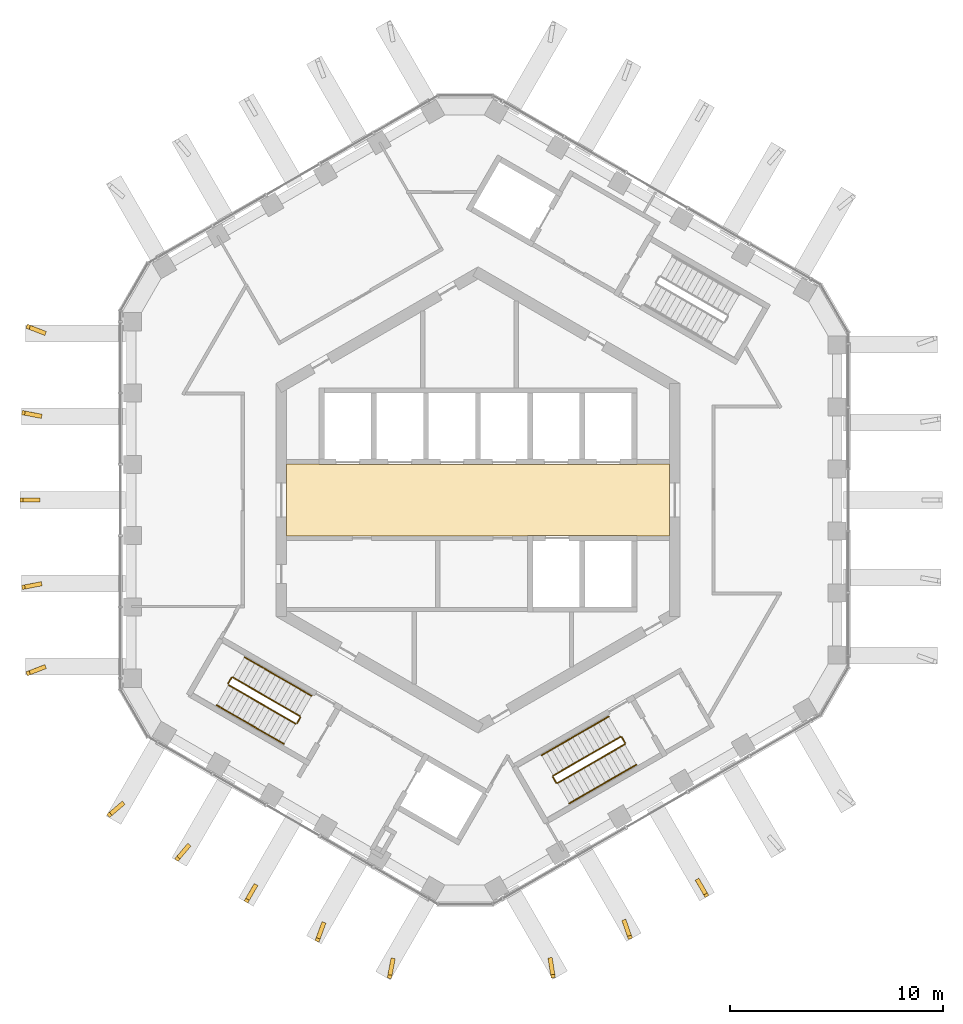
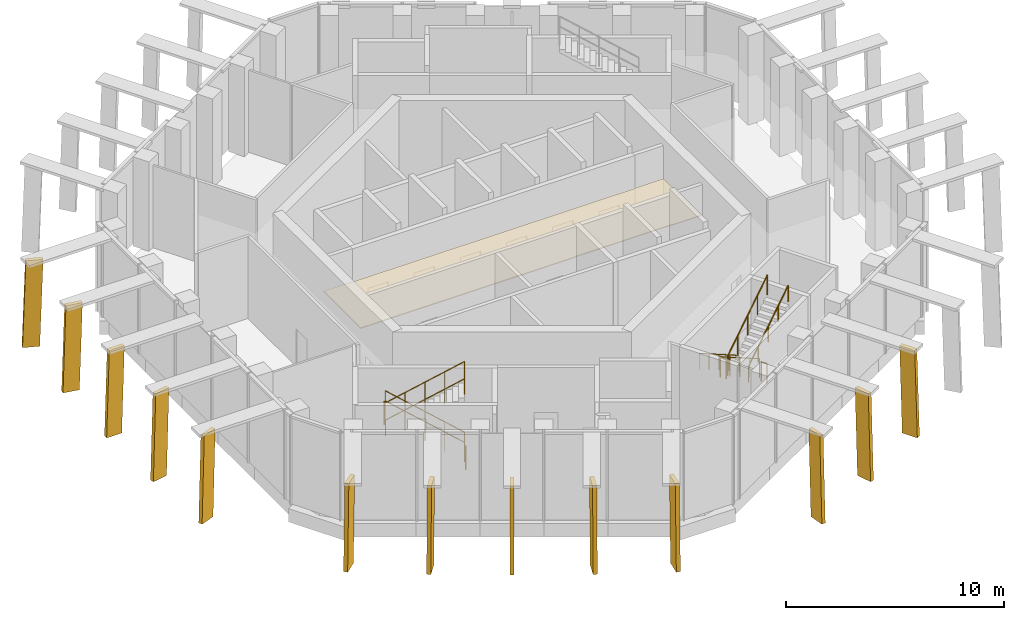
# One storey, part 15 of 17: 16 railings, 13 shading devices, 1 covering.
"""IFC4 building model written with IfcOpenShell, lengths in metres."""

import ifcopenshell
import ifcopenshell.guid

model = None  # the IFC model being written
_history = None  # IfcOwnerHistory: only IFC2X3 demands one
_inside = {}  # id of a spatial element -> (the spatial element, [elements in it])
_under = {}  # id of a project, library or spatial element -> (it, [spatial elements below it])
_declared = {}  # id of a project -> (the project, [libraries it declares])
_typed = {}  # id of a type object -> (the type object, [elements of that type])
_made_of = {}  # id of a material, layer set ... -> (it, [elements and type objects made of it])


def new_model(schema):
    """Start an empty IFC model of exactly this schema.

    Asked for "IFC4X3", IfcOpenShell would pick the latest addendum, in which some entities
    have other attributes; the version numbers below select the first issue.
    IFC2X3 requires an IfcOwnerHistory on every rooted entity: one is made here for all.
    """
    global model, _history
    if schema == "IFC4X3":
        model = ifcopenshell.file(schema_version=(4, 3, 0, 0))
    else:
        model = ifcopenshell.file(schema=schema)
    _inside.clear()
    _under.clear()
    _declared.clear()
    _typed.clear()
    _made_of.clear()
    _history = None
    if model.schema == "IFC2X3":
        org = make("IfcOrganization", Name="unknown")
        user = make(
            "IfcPersonAndOrganization",
            ThePerson=make("IfcPerson", FamilyName="unknown"),
            TheOrganization=org,
        )
        app = make(
            "IfcApplication",
            ApplicationDeveloper=org,
            Version="unknown",
            ApplicationFullName="unknown",
            ApplicationIdentifier="unknown",
        )
        _history = make(
            "IfcOwnerHistory",
            OwningUser=user,
            OwningApplication=app,
            ChangeAction="ADDED",
            CreationDate=0,
        )
    return model


def make(cls, **values):
    """One entity of the class cls with the attributes given. An attribute that is None is left unset."""
    return model.create_entity(
        cls, **{name: value for name, value in values.items() if value is not None}
    )


def rooted(cls, **values):
    """An entity with a GlobalId (a new one), such as an element, a storey or a relation."""
    return make(cls, GlobalId=ifcopenshell.guid.new(), OwnerHistory=_history, **values)


def si_unit(unit_type, name, prefix=None):
    """IfcSIUnit, for example si_unit("LENGTHUNIT", "METRE", prefix="MILLI")."""
    return make("IfcSIUnit", UnitType=unit_type, Prefix=prefix, Name=name)


def assignment(units):
    """IfcUnitAssignment: the units of a project."""
    return None if units is None else make("IfcUnitAssignment", Units=units)


def point(xyz):
    """IfcCartesianPoint."""
    return None if xyz is None else make("IfcCartesianPoint", Coordinates=xyz)


def direction(xyz):
    """IfcDirection."""
    return None if xyz is None else make("IfcDirection", DirectionRatios=xyz)


def frame(location, z_axis=None, x_axis=None):
    """IfcAxis2Placement3D, a coordinate frame: its origin and axes. An axis left out is left unset."""
    return make(
        "IfcAxis2Placement3D",
        Location=point(location),
        Axis=direction(z_axis),
        RefDirection=direction(x_axis),
    )


def frame_2d(location, x_axis=None):
    """IfcAxis2Placement2D, a coordinate frame in the plane: its origin and x axis."""
    return make(
        "IfcAxis2Placement2D", Location=point(location), RefDirection=direction(x_axis)
    )


def origin():
    """The frame at (0, 0, 0) with its axes left unset."""
    return frame((0.0, 0.0, 0.0))


def origin_2d():
    """The frame at (0, 0) in the plane with its x axis left unset."""
    return frame_2d((0.0, 0.0))


def place(relative_to, where):
    """IfcLocalPlacement: puts the frame where relative to a parent placement (None: the world)."""
    return make(
        "IfcLocalPlacement", PlacementRelTo=relative_to, RelativePlacement=where
    )


def context(
    kind, dimensions, precision=None, world=None, true_north=None, identifier=None
):
    """IfcGeometricRepresentationContext, for example the 3D "Model" context."""
    return make(
        "IfcGeometricRepresentationContext",
        ContextIdentifier=identifier,
        ContextType=kind,
        CoordinateSpaceDimension=dimensions,
        Precision=precision,
        WorldCoordinateSystem=world,
        TrueNorth=true_north,
    )


def subcontext(parent, identifier, kind, view, scale=None):
    """IfcGeometricRepresentationSubContext, for example "Body" below "Model"."""
    return make(
        "IfcGeometricRepresentationSubContext",
        ContextIdentifier=identifier,
        ContextType=kind,
        ParentContext=parent,
        TargetScale=scale,
        TargetView=view,
    )


def project(units=None, contexts=None):
    """IfcProject with its units and contexts."""
    return rooted(
        "IfcProject",
        Name="project",
        RepresentationContexts=contexts,
        UnitsInContext=assignment(units),
    )


def spatial(cls, under=None, at=None, **own):
    """A site, building, storey or space (cls), placed at a placement, below another one or the project."""
    s = rooted(cls, ObjectPlacement=at, **own)
    if under is not None:
        _under.setdefault(under.id(), (under, []))[1].append(s)
    return s


def polyline(points):
    """IfcPolyline through the points."""
    return make("IfcPolyline", Points=[point(p) for p in points])


def profile(cls, at=None, kind="AREA", **sizes):
    """A parametric profile (cls). Its sizes go by their IFC names, for example OverallWidth=200.0."""
    return make(cls, ProfileType=kind, Position=at, **sizes)


def circle(**sizes):
    """IfcCircleProfileDef."""
    return profile("IfcCircleProfileDef", **sizes)


def outline(outer, holes=None, kind="AREA"):
    """IfcArbitraryClosedProfileDef: a profile drawn as a closed curve; with holes, ...WithVoids."""
    if holes is None:
        return make("IfcArbitraryClosedProfileDef", ProfileType=kind, OuterCurve=outer)
    return make(
        "IfcArbitraryProfileDefWithVoids",
        ProfileType=kind,
        OuterCurve=outer,
        InnerCurves=holes,
    )


def extrude(swept, where, along, depth):
    """IfcExtrudedAreaSolid: the profile swept, set in the frame where, extruded along a direction by depth."""
    return make(
        "IfcExtrudedAreaSolid",
        SweptArea=swept,
        Position=where,
        ExtrudedDirection=direction(along),
        Depth=depth,
    )


def shape(context_of_items, identifier, shape_type, items):
    """IfcShapeRepresentation: the items that make up one representation, for example the "Body"."""
    return make(
        "IfcShapeRepresentation",
        ContextOfItems=context_of_items,
        RepresentationIdentifier=identifier,
        RepresentationType=shape_type,
        Items=items,
    )


def material(Name=None, Category=None):
    """IfcMaterial."""
    return make("IfcMaterial", Name=Name, Category=Category)


def layer(
    of_material, thickness, ventilated=None, Name=None, Category=None, Priority=None
):
    """IfcMaterialLayer: one layer of a wall or slab, of a material (None: an air gap)."""
    return make(
        "IfcMaterialLayer",
        Material=of_material,
        LayerThickness=thickness,
        IsVentilated=ventilated,
        Name=Name,
        Category=Category,
        Priority=Priority,
    )


def layer_set(layers, Name=None):
    """IfcMaterialLayerSet."""
    return make("IfcMaterialLayerSet", MaterialLayers=layers, LayerSetName=Name)


def made_of(thing, what):
    """Note that an element or type object is made of a material, layer set ...; save() writes the relation."""
    if what is not None:
        _made_of.setdefault(what.id(), (what, []))[1].append(thing)
    return thing


def type_object(cls, material=None, **own):
    """A type object (cls), such as IfcWallType, which elements share."""
    return made_of(rooted(cls, **own), material)


def element(
    cls,
    number,
    at=None,
    inside=None,
    cuts=None,
    type_object=None,
    material=None,
    context=None,
    identifier="Body",
    shape_type=None,
    held_by="IfcProductDefinitionShape",
    body=None,
    shapes=None,
    **own,
):
    """One element of the class cls, such as IfcWall. Its Tag is "e" and its number.

    at: its placement. inside: the storey or other place that contains it. cuts: it is an
    opening in that element (IfcRelVoidsElement). A single representation is given by context,
    identifier, shape_type and body (its items); several are given by shapes. held_by: the class
    of the entity that holds the representations. save() writes the other relations.
    """
    e = rooted(cls, Tag="e%d" % number, ObjectPlacement=at, **own)
    if body is not None:
        shapes = [shape(context, identifier, shape_type, body)]
    if shapes is not None:
        e.Representation = make(held_by, Representations=shapes)
    if inside is not None:
        _inside.setdefault(inside.id(), (inside, []))[1].append(e)
    if cuts is not None:
        rooted(
            "IfcRelVoidsElement", RelatingBuildingElement=cuts, RelatedOpeningElement=e
        )
    if type_object is not None:
        _typed.setdefault(type_object.id(), (type_object, []))[1].append(e)
    return made_of(e, material)


def aggregate(whole, parts):
    """IfcRelAggregates: a whole, such as a stair, and the parts it consists of."""
    return rooted("IfcRelAggregates", RelatingObject=whole, RelatedObjects=parts)


def save(model, path):
    """Write the relations noted so far, then the file.

    IfcRelAggregates (storeys below a building ...), IfcRelContainedInSpatialStructure (elements
    in a storey), IfcRelDefinesByType, IfcRelAssociatesMaterial and IfcRelDeclares: one each for
    every whole, place, type object, material and project.
    """
    for whole, parts in _under.values():
        aggregate(whole, parts)
    for where, things in _inside.values():
        rooted(
            "IfcRelContainedInSpatialStructure",
            RelatedElements=things,
            RelatingStructure=where,
        )
    for kind, things in _typed.values():
        rooted("IfcRelDefinesByType", RelatedObjects=things, RelatingType=kind)
    for what, things in _made_of.values():
        rooted("IfcRelAssociatesMaterial", RelatedObjects=things, RelatingMaterial=what)
    for by, libraries in _declared.values():
        rooted("IfcRelDeclares", RelatingContext=by, RelatedDefinitions=libraries)
    model.write(path)


model = new_model("IFC4")

# Units and contexts
model_context = context("Model", 3, precision=1e-05, world=origin(), true_north=direction((0.0, 1.0)))
body_context = subcontext(model_context, "Body", "Model", "MODEL_VIEW")
ifc_project = project(units=[si_unit("LENGTHUNIT", "METRE"), si_unit("AREAUNIT", "SQUARE_METRE"), si_unit("VOLUMEUNIT", "CUBIC_METRE"), si_unit("PLANEANGLEUNIT", "RADIAN"), si_unit("MASSUNIT", "GRAM", prefix="KILO")], contexts=[model_context])

# Site, building, storey
site_placement = place(None, origin())
site = spatial("IfcSite", under=ifc_project, at=site_placement, CompositionType="ELEMENT")
building_placement = place(site_placement, origin())
building = spatial("IfcBuilding", under=site, at=building_placement, Name="Ayvan Gate Tower", CompositionType="ELEMENT")
storey_placement = place(building_placement, frame((0.0, 0.0, 252.89990234375)))
storey = spatial("IfcBuildingStorey", under=building, at=storey_placement, Name="L68", CompositionType="ELEMENT", Elevation=252.89990234375)

# Covering
ifc_material_1 = material(Name="Plasterboard suspended ceiling")
ifc_layer_1 = layer(ifc_material_1, 0.050048828125)
ifc_layer_set_1 = layer_set([ifc_layer_1], Name="Plasterboard suspended ceiling")
covering_type = type_object("IfcCoveringType", Name="CT-SUSP-50", PredefinedType="CEILING", material=ifc_layer_set_1)
covering_placement = place(storey_placement, frame((0.0, 0.0, 2.7001953125)))
element("IfcCovering", 1, at=covering_placement, inside=storey, type_object=covering_type, Name="Ceiling Lift Lobby L68", PredefinedType="CEILING", context=body_context, shape_type="SweptSolid", body=[
    extrude(outline(polyline([(7.47509765625, -1.675048828125), (2.324951171875, -1.675048828125), (2.324951171875, -1.699951171875), (-9.0, -1.699951171875), (-9.0, 1.699951171875), (-7.47509765625, 1.699951171875), (-7.47509765625, 1.675048828125), (7.47509765625, 1.675048828125), (7.47509765625, 1.699951171875), (9.0, 1.699951171875), (9.0, -1.699951171875), (7.47509765625, -1.699951171875), (7.47509765625, -1.675048828125)])), origin(), (0.0, 0.0, 1.0), 0.0498046875),
])

# Shading devices
ifc_material_2 = material(Name="Bronze anodised aluminium", Category="aluminium")
ifc_layer_2 = layer(ifc_material_2, 0.199951171875)
ifc_layer_set_2 = layer_set([ifc_layer_2], Name="Bronze anodised aluminium")
shading_device_type = type_object("IfcShadingDeviceType", Name="Crown frame rib 800 x 200", PredefinedType="USERDEFINED", material=ifc_layer_set_2)
shading_device_1_placement = place(storey_placement, frame((-20.45068359375, 7.982177734375, 0.0), z_axis=(0.359520961513, 0.933136960803, 0.00030102508), x_axis=(-0.93313700308, 0.359520977807, -1.6517e-08)))
element("IfcShadingDevice", 2, at=shading_device_1_placement, inside=storey, type_object=shading_device_type, Name="CROWN FRAME rib FR06.4.1", ObjectType="FIN", PredefinedType="USERDEFINED", context=body_context, shape_type="SweptSolid", body=[
    extrude(outline(polyline([(0.0, 0.0), (0.7998328931326927, -1.3552527156068805e-20), (0.6427960943744863, 4.850097886615703), (-0.15726461540934886, 4.850097860189862), (0.0, 0.0)])), origin(), (0.0, 0.0, -1.0), 0.199951171875),
])
shading_device_2_placement = place(storey_placement, frame((-20.651123046875, 4.062255859375, 0.0), z_axis=(0.188275798868, 0.982116140451, 0.000332004597), x_axis=(-0.982116194578, 0.188275809248, -9.539e-09)))
element("IfcShadingDevice", 3, at=shading_device_2_placement, inside=storey, type_object=shading_device_type, Name="CROWN FRAME rib FR06.4.2", ObjectType="FIN", PredefinedType="USERDEFINED", context=body_context, shape_type="SweptSolid", body=[
    extrude(outline(polyline([(0.0, 0.0), (0.7999550997210518, 0.0), (0.6554619044477292, 4.8500979298081734), (-0.1447329697348894, 4.850097914545038), (0.0, 0.0)])), origin(), (0.0, 0.0, -1.0), 0.199951171875),
])
shading_device_3_placement = place(storey_placement, frame((-20.737060546875, 0.099853515625, 0.0), z_axis=(0.0, 0.999999954391, 0.000302023544), x_axis=(-1.0, 0.0, 0.0)))
element("IfcShadingDevice", 4, at=shading_device_3_placement, inside=storey, type_object=shading_device_type, Name="CROWN FRAME rib FR06.4.3", ObjectType="FIN", PredefinedType="USERDEFINED", context=body_context, shape_type="SweptSolid", body=[
    extrude(outline(polyline([(0.0, 0.0), (0.800048828125, 0.0), (0.65966796875, 4.850097877458655), (-0.140380859375, 4.850097877458655), (0.0, 0.0)])), origin(), (0.0, 0.0, -1.0), 0.199951171875),
])
shading_device_4_placement = place(storey_placement, frame((-20.688720703125, -3.865966796875, 0.0), z_axis=(-0.188394730389, 0.982093339468, 0.000313262886), x_axis=(-0.982093387654, -0.188394739647, 4.693e-08)))
element("IfcShadingDevice", 5, at=shading_device_4_placement, inside=storey, type_object=shading_device_type, Name="CROWN FRAME rib FR06.4.4", ObjectType="FIN", PredefinedType="USERDEFINED", context=body_context, shape_type="SweptSolid", body=[
    extrude(outline(polyline([(0.0, 0.0), (0.8002408603416653, 0.0), (0.6555803732585794, 4.850097863462459), (-0.14461449227360157, 4.850097938570996), (0.0, 0.0)])), origin(), (0.0, 0.0, -1.0), 0.199951171875),
])
shading_device_5_placement = place(storey_placement, frame((-20.5224609375, -7.795654296875, 0.0), z_axis=(-0.359336901314, 0.933207850715, 0.000314194159), x_axis=(-0.933207896772, -0.359336919063, 4.4737e-08)))
element("IfcShadingDevice", 6, at=shading_device_5_placement, inside=storey, type_object=shading_device_type, Name="CROWN FRAME rib FR06.4.5", ObjectType="FIN", PredefinedType="USERDEFINED", context=body_context, shape_type="SweptSolid", body=[
    extrude(outline(polyline([(0.0, 0.0), (0.8000607028774704, 1.3552527156068805e-20), (0.6428503472321129, 4.8500978668869354), (-0.15712262690535186, 4.85009793846711), (0.0, 0.0)])), origin(), (0.0, 0.0, -1.0), 0.199951171875),
])
shading_device_6_placement = place(storey_placement, frame((-16.85546875, -14.266845703125, 0.0), z_axis=(-0.649458249886, 0.760397194357, 0.000297438353), x_axis=(-0.760397227987, -0.649458278621, 2.9481e-08)))
element("IfcShadingDevice", 7, at=shading_device_6_placement, inside=storey, type_object=shading_device_type, Name="CROWN FRAME rib FR06.5.1", ObjectType="FIN", PredefinedType="USERDEFINED", context=body_context, shape_type="SweptSolid", body=[
    extrude(outline(polyline([(0.0, 0.0), (0.7998527128470826, 1.3552527156068805e-20), (0.6411244915766886, 4.850097851891799), (-0.15891386512488295, 4.850097899058844), (0.0, 0.0)])), origin(), (0.0, 0.0, -1.0), 0.199951171875),
])
shading_device_7_placement = place(storey_placement, frame((-13.752685546875, -16.259765625, 0.0), z_axis=(-0.766554958677, 0.642178631518, 0.000317094227), x_axis=(-0.642178663796, -0.766554997222, 3.1072e-08)))
element("IfcShadingDevice", 8, at=shading_device_7_placement, inside=storey, type_object=shading_device_type, Name="CROWN FRAME rib FR06.5.2", ObjectType="FIN", PredefinedType="USERDEFINED", context=body_context, shape_type="SweptSolid", body=[
    extrude(outline(polyline([(0.0, 0.0), (0.7999829252068057, -2.710505431213761e-20), (0.6519361405456181, 4.850097879828483), (-0.14785963744506903, 4.850097929537304), (0.0, 0.0)])), origin(), (0.0, 0.0, -1.0), 0.199951171875),
])
shading_device_8_placement = place(storey_placement, frame((-10.602294921875, -18.1640625, 0.0), z_axis=(-0.865989860035, 0.500061457504, 0.00031786118), x_axis=(-0.500061482784, -0.865989903772, -6.6264e-08)))
element("IfcShadingDevice", 9, at=shading_device_8_placement, inside=storey, type_object=shading_device_type, Name="CROWN FRAME rib FR06.5.3", ObjectType="FIN", PredefinedType="USERDEFINED", context=body_context, shape_type="SweptSolid", body=[
    extrude(outline(polyline([(0.0, 0.0), (0.7999057927943095, -1.3552527156068805e-20), (0.6554212358568731, 4.85009794469725), (-0.14457389493084177, 4.85009783868188), (0.0, 0.0)])), origin(), (0.0, 0.0, -1.0), 0.199951171875),
])
shading_device_9_placement = place(storey_placement, frame((-7.392822265625, -19.9716796875, 0.0), z_axis=(-0.939396279247, 0.342833106946, 0.000302190548), x_axis=(-0.342833122592, -0.939396322142, 2.7511e-08)))
element("IfcShadingDevice", 10, at=shading_device_9_placement, inside=storey, type_object=shading_device_type, Name="CROWN FRAME rib FR06.5.4", ObjectType="FIN", PredefinedType="USERDEFINED", context=body_context, shape_type="SweptSolid", body=[
    extrude(outline(polyline([(0.0, 0.0), (0.7999178408749343, 0.0), (0.652051477779579, 4.8500978597649524), (-0.14817940739338614, 4.850097903786201), (0.0, 0.0)])), origin(), (0.0, 0.0, -1.0), 0.199951171875),
])
shading_device_10_placement = place(storey_placement, frame((-4.124267578125, -21.694091796875, 0.0), z_axis=(-0.983236396476, 0.182335116975, 0.00030620793), x_axis=(-0.182335125537, -0.983236442569, -4.5937e-08)))
element("IfcShadingDevice", 11, at=shading_device_10_placement, inside=storey, type_object=shading_device_type, Name="CROWN FRAME rib FR06.5.5", ObjectType="FIN", PredefinedType="USERDEFINED", context=body_context, shape_type="SweptSolid", body=[
    extrude(outline(polyline([(0.0, 0.0), (0.8000547419501685, 6.776263578034403e-21), (0.6413394944794899, 4.8500979130919495), (-0.15867073205917054, 4.850097839589405), (0.0, 0.0)])), origin(), (0.0, 0.0, -1.0), 0.199951171875),
])
shading_device_11_placement = place(storey_placement, frame((3.3125, -21.701904296875, 0.0), z_axis=(-0.987861696713, -0.155335682307, 0.000306545361), x_axis=(0.155335689605, -0.987861743127, 0.0)))
element("IfcShadingDevice", 12, at=shading_device_11_placement, inside=storey, type_object=shading_device_type, Name="CROWN FRAME rib FR06.6.1", ObjectType="FIN", PredefinedType="USERDEFINED", context=body_context, shape_type="SweptSolid", body=[
    extrude(outline(polyline([(0.0, 0.0), (0.7999937325470513, -6.776263578034403e-21), (0.6427990340130917, 4.850097884131995), (-0.1571946985339595, 4.850097884131995), (0.0, 0.0)])), origin(), (0.0, 0.0, -1.0), 0.199951171875),
])
shading_device_12_placement = place(storey_placement, frame((6.8076171875, -19.91552734375, 0.0), z_axis=(-0.944673623984, -0.328011674994, 0.000291918172), x_axis=(0.32801168897, -0.944673664235, 0.0)))
element("IfcShadingDevice", 13, at=shading_device_12_placement, inside=storey, type_object=shading_device_type, Name="CROWN FRAME rib FR06.6.2", ObjectType="FIN", PredefinedType="USERDEFINED", context=body_context, shape_type="SweptSolid", body=[
    extrude(outline(polyline([(0.0, 0.0), (0.8001274975864481, 1.3552527156068805e-20), (0.6553763236325033, 4.850097862903507), (-0.14475117395394477, 4.850097862903507), (0.0, 0.0)])), origin(), (0.0, 0.0, -1.0), 0.199951171875),
])
shading_device_13_placement = place(storey_placement, frame((10.281982421875, -18.0087890625, 0.0), z_axis=(-0.865961940678, -0.50010980295, 0.000319830062), x_axis=(0.500109828528, -0.865961984968, 0.0)))
element("IfcShadingDevice", 14, at=shading_device_13_placement, inside=storey, type_object=shading_device_type, Name="CROWN FRAME rib FR06.6.3", ObjectType="FIN", PredefinedType="USERDEFINED", context=body_context, shape_type="SweptSolid", body=[
    extrude(outline(polyline([(0.0, 0.0), (0.8001172173575528, -1.3552527156068805e-20), (0.6597661611774119, 4.8500979043113395), (-0.14035105618014085, 4.8500979043113395), (0.0, 0.0)])), origin(), (0.0, 0.0, -1.0), 0.199951171875),
])

# Railings
ifc_material_3 = material(Name="Stainless steel balustrade", Category="steel")
railing_type_1 = type_object("IfcRailingType", Name="RL-GUARD-1100", PredefinedType="GUARDRAIL", material=ifc_material_3)
railing_1_placement = place(storey_placement, frame((-8.381103515625, -10.16650390625, 0.1787109375)))
element("IfcRailing", 15, at=railing_1_placement, inside=storey, type_object=railing_type_1, Name="L68 STS2 stair guard 1", PredefinedType="GUARDRAIL", context=body_context, shape_type="SweptSolid", body=[
    extrude(circle(Radius=0.02392578125, at=origin_2d()), frame((0.0, 0.0, 1.076171875), z_axis=(-0.730180763182, 0.421584385806, 0.537682674747), x_axis=(-0.500012742938, -0.866018046521, 0.0)), (0.0, 0.0, 1.0), 4.317138671875),
    extrude(circle(Radius=0.02099609375, at=origin_2d()), origin(), (0.0, 0.0, 1.0), 1.052001953125),
    extrude(circle(Radius=0.02099609375, at=origin_2d()), frame((-0.7880859375, 0.455078125, 0.580322265625)), (0.0, 0.0, 1.0), 1.052001953125),
    extrude(circle(Radius=0.02099609375, at=origin_2d()), frame((-1.576171875, 0.91015625, 1.16064453125)), (0.0, 0.0, 1.0), 1.052001953125),
    extrude(circle(Radius=0.02099609375, at=origin_2d()), frame((-2.3642578125, 1.364990234375, 1.740966796875)), (0.0, 0.0, 1.0), 1.052001953125),
    extrude(circle(Radius=0.02099609375, at=origin_2d()), frame((-3.15234375, 1.820068359375, 2.3212890625)), (0.0, 0.0, 1.0), 1.052001953125),
])
railing_2_placement = place(storey_placement, frame((-11.601806640625, -8.36474609375, 2.5)))
element("IfcRailing", 16, at=railing_2_placement, inside=storey, type_object=railing_type_1, Name="L68 STS2 stair guard 2", PredefinedType="GUARDRAIL", context=body_context, shape_type="SweptSolid", body=[
    extrude(circle(Radius=0.02392578125, at=origin_2d()), frame((0.0, 0.0, 1.076171875), z_axis=(-0.499949632511, -0.866054481515, 0.0), x_axis=(0.866054481515, -0.499949632511, 0.0)), (0.0, 0.0, 1.0), 0.31005859375),
    extrude(circle(Radius=0.02099609375, at=origin_2d()), origin(), (0.0, 0.0, 1.0), 1.052001953125),
    extrude(circle(Radius=0.02099609375, at=origin_2d()), frame((-0.155029296875, -0.2685546875, 0.0)), (0.0, 0.0, 1.0), 1.052001953125),
])
railing_3_placement = place(storey_placement, frame((-11.738525390625, -8.70166015625, 2.6787109375)))
element("IfcRailing", 17, at=railing_3_placement, inside=storey, type_object=railing_type_1, Name="L68 STS2 stair guard 3", PredefinedType="GUARDRAIL", context=body_context, shape_type="SweptSolid", body=[
    extrude(circle(Radius=0.02392578125, at=origin_2d()), frame((0.0, 0.0, 1.076171875), z_axis=(0.730198170753, -0.42153788451, 0.537695493148), x_axis=(0.499962438169, 0.866047089031, 0.0)), (0.0, 0.0, 1.0), 4.317138671875),
    extrude(circle(Radius=0.02099609375, at=origin_2d()), origin(), (0.0, 0.0, 1.0), 1.052001953125),
    extrude(circle(Radius=0.02099609375, at=origin_2d()), frame((0.7880859375, -0.455078125, 0.580322265625)), (0.0, 0.0, 1.0), 1.052001953125),
    extrude(circle(Radius=0.02099609375, at=origin_2d()), frame((1.576171875, -0.909912109375, 1.16064453125)), (0.0, 0.0, 1.0), 1.052001953125),
    extrude(circle(Radius=0.02099609375, at=origin_2d()), frame((2.3642578125, -1.36474609375, 1.740966796875)), (0.0, 0.0, 1.0), 1.052001953125),
    extrude(circle(Radius=0.02099609375, at=origin_2d()), frame((3.15234375, -1.81982421875, 2.3212890625)), (0.0, 0.0, 1.0), 1.052001953125),
])
railing_4_placement = place(storey_placement, frame((-8.36279296875, -10.23486328125, 0.0)))
element("IfcRailing", 18, at=railing_4_placement, inside=storey, type_object=railing_type_1, Name="L68 STS2 stair guard 4", PredefinedType="GUARDRAIL", context=body_context, shape_type="SweptSolid", body=[
    extrude(circle(Radius=0.02392578125, at=origin_2d()), frame((0.0, 0.0, 1.076171875), z_axis=(-0.500290723946, -0.86585748916, 0.0), x_axis=(0.86585748916, -0.500290723946, 0.0)), (0.0, 0.0, 1.0), 0.309814453125),
    extrude(circle(Radius=0.02099609375, at=origin_2d()), origin(), (0.0, 0.0, 1.0), 1.052001953125),
    extrude(circle(Radius=0.02099609375, at=origin_2d()), frame((-0.155029296875, -0.268310546875, 0.0)), (0.0, 0.0, 1.0), 1.052001953125),
])
railing_5_placement = place(storey_placement, frame((6.6923828125, -11.1416015625, 0.1787109375)))
element("IfcRailing", 19, at=railing_5_placement, inside=storey, type_object=railing_type_1, Name="L68 STS3 stair guard 1", PredefinedType="GUARDRAIL", context=body_context, shape_type="SweptSolid", body=[
    extrude(circle(Radius=0.02392578125, at=origin_2d()), frame((0.0, 0.0, 1.076171875), z_axis=(-0.730198170753, -0.42153788451, 0.537695493148), x_axis=(0.499962438169, -0.866047089031, 0.0)), (0.0, 0.0, 1.0), 4.317138671875),
    extrude(circle(Radius=0.02099609375, at=origin_2d()), origin(), (0.0, 0.0, 1.0), 1.052001953125),
    extrude(circle(Radius=0.02099609375, at=origin_2d()), frame((-0.7880859375, -0.455078125, 0.580322265625)), (0.0, 0.0, 1.0), 1.052001953125),
    extrude(circle(Radius=0.02099609375, at=origin_2d()), frame((-1.576171875, -0.909912109375, 1.16064453125)), (0.0, 0.0, 1.0), 1.052001953125),
    extrude(circle(Radius=0.02099609375, at=origin_2d()), frame((-2.3642578125, -1.36474609375, 1.740966796875)), (0.0, 0.0, 1.0), 1.052001953125),
    extrude(circle(Radius=0.02099609375, at=origin_2d()), frame((-3.15234375, -1.81982421875, 2.3212890625)), (0.0, 0.0, 1.0), 1.052001953125),
])
railing_6_placement = place(storey_placement, frame((3.521728515625, -13.02978515625, 2.5)))
element("IfcRailing", 20, at=railing_6_placement, inside=storey, type_object=railing_type_1, Name="L68 STS3 stair guard 2", PredefinedType="GUARDRAIL", context=body_context, shape_type="SweptSolid", body=[
    extrude(circle(Radius=0.02392578125, at=origin_2d()), frame((0.0, 0.0, 1.076171875), z_axis=(0.499949632511, -0.866054481515, 0.0), x_axis=(0.866054481515, 0.499949632511, 0.0)), (0.0, 0.0, 1.0), 0.31005859375),
    extrude(circle(Radius=0.02099609375, at=origin_2d()), origin(), (0.0, 0.0, 1.0), 1.052001953125),
    extrude(circle(Radius=0.02099609375, at=origin_2d()), frame((0.155029296875, -0.2685546875, 0.0)), (0.0, 0.0, 1.0), 1.052001953125),
])
railing_7_placement = place(storey_placement, frame((3.7451171875, -13.316650390625, 2.6787109375)))
element("IfcRailing", 21, at=railing_7_placement, inside=storey, type_object=railing_type_1, Name="L68 STS3 stair guard 3", PredefinedType="GUARDRAIL", context=body_context, shape_type="SweptSolid", body=[
    extrude(circle(Radius=0.02392578125, at=origin_2d()), frame((0.0, 0.0, 1.076171875), z_axis=(0.730180763182, 0.421584385806, 0.537682674747), x_axis=(-0.500012742938, 0.866018046521, 0.0)), (0.0, 0.0, 1.0), 4.317138671875),
    extrude(circle(Radius=0.02099609375, at=origin_2d()), origin(), (0.0, 0.0, 1.0), 1.052001953125),
    extrude(circle(Radius=0.02099609375, at=origin_2d()), frame((0.7880859375, 0.455078125, 0.580322265625)), (0.0, 0.0, 1.0), 1.052001953125),
    extrude(circle(Radius=0.02099609375, at=origin_2d()), frame((1.576171875, 0.91015625, 1.16064453125)), (0.0, 0.0, 1.0), 1.052001953125),
    extrude(circle(Radius=0.02099609375, at=origin_2d()), frame((2.3642578125, 1.364990234375, 1.740966796875)), (0.0, 0.0, 1.0), 1.052001953125),
    extrude(circle(Radius=0.02099609375, at=origin_2d()), frame((3.15234375, 1.820068359375, 2.3212890625)), (0.0, 0.0, 1.0), 1.052001953125),
])
railing_8_placement = place(storey_placement, frame((6.7607421875, -11.159912109375, 0.0)))
element("IfcRailing", 22, at=railing_8_placement, inside=storey, type_object=railing_type_1, Name="L68 STS3 stair guard 4", PredefinedType="GUARDRAIL", context=body_context, shape_type="SweptSolid", body=[
    extrude(circle(Radius=0.02392578125, at=origin_2d()), frame((0.0, 0.0, 1.076171875), z_axis=(0.500290723946, -0.86585748916, 0.0), x_axis=(0.86585748916, 0.500290723946, 0.0)), (0.0, 0.0, 1.0), 0.309814453125),
    extrude(circle(Radius=0.02099609375, at=origin_2d()), origin(), (0.0, 0.0, 1.0), 1.052001953125),
    extrude(circle(Radius=0.02099609375, at=origin_2d()), frame((0.155029296875, -0.268310546875, 0.0)), (0.0, 0.0, 1.0), 1.052001953125),
])
railing_type_2 = type_object("IfcRailingType", Name="RL-HANDRAIL-900", PredefinedType="HANDRAIL", material=ifc_material_3)
railing_9_placement = place(storey_placement, frame((-7.8310546875, -9.2138671875, 0.1787109375)))
element("IfcRailing", 23, at=railing_9_placement, inside=storey, type_object=railing_type_2, Name="L68 STS2 stair handrail 1", PredefinedType="HANDRAIL", context=body_context, shape_type="SweptSolid", body=[
    extrude(circle(Radius=0.02392578125, at=origin_2d()), frame((0.0, 0.0, 0.8759765625), z_axis=(-0.730198170753, 0.42153788451, 0.537695493148), x_axis=(-0.499962438169, -0.866047089031, 0.0)), (0.0, 0.0, 1.0), 2.158447265625),
    extrude(circle(Radius=0.02099609375, at=origin_2d()), origin(), (0.0, 0.0, 1.0), 0.851806640625),
    extrude(circle(Radius=0.02099609375, at=origin_2d()), frame((-0.7880859375, 0.455078125, 0.580322265625)), (0.0, 0.0, 1.0), 0.851806640625),
    extrude(circle(Radius=0.02099609375, at=origin_2d()), frame((-1.576171875, 0.909912109375, 1.16064453125)), (0.0, 0.0, 1.0), 0.851806640625),
])
railing_10_placement = place(storey_placement, frame((-9.4072265625, -8.303955078125, 1.33935546875)))
element("IfcRailing", 24, at=railing_10_placement, inside=storey, type_object=railing_type_2, Name="L68 STS2 stair handrail 2", PredefinedType="HANDRAIL", context=body_context, shape_type="SweptSolid", body=[
    extrude(circle(Radius=0.02392578125, at=origin_2d()), frame((0.0, 0.0, 0.8759765625), z_axis=(-0.730163354521, 0.421630883776, 0.537669855544), x_axis=(-0.500063042646, -0.865989003036, 0.0)), (0.0, 0.0, 1.0), 2.15869140625),
    extrude(circle(Radius=0.02099609375, at=origin_2d()), origin(), (0.0, 0.0, 1.0), 0.851806640625),
    extrude(circle(Radius=0.02099609375, at=origin_2d()), frame((-0.7880859375, 0.455078125, 0.580322265625)), (0.0, 0.0, 1.0), 0.851806640625),
    extrude(circle(Radius=0.02099609375, at=origin_2d()), frame((-1.576171875, 0.91015625, 1.16064453125)), (0.0, 0.0, 1.0), 0.851806640625),
])
for number, where, name in (
    (25, (-12.288330078125, -9.654296875, 2.6787109375), "L68 STS2 stair handrail 3"),
    (26, (-10.712158203125, -10.564208984375, 3.83935546875), "L68 STS2 stair handrail 4"),
):
    element("IfcRailing", number, at=place(storey_placement, frame(where)), inside=storey, type_object=railing_type_2, Name=name, PredefinedType="HANDRAIL", context=body_context, shape_type="SweptSolid", body=[
        extrude(circle(Radius=0.02392578125, at=origin_2d()), frame((0.0, 0.0, 0.8759765625), z_axis=(0.730198170753, -0.42153788451, 0.537695493148), x_axis=(0.499962438169, 0.866047089031, 0.0)), (0.0, 0.0, 1.0), 2.158447265625),
        extrude(circle(Radius=0.02099609375, at=origin_2d()), origin(), (0.0, 0.0, 1.0), 0.851806640625),
        extrude(circle(Radius=0.02099609375, at=origin_2d()), frame((0.7880859375, -0.455078125, 0.580322265625)), (0.0, 0.0, 1.0), 0.851806640625),
        extrude(circle(Radius=0.02099609375, at=origin_2d()), frame((1.576171875, -0.909912109375, 1.16064453125)), (0.0, 0.0, 1.0), 0.851806640625),
    ])
for number, where, name in (
    (27, (6.142333984375, -10.18896484375, 0.1787109375), "L68 STS3 stair handrail 1"),
    (28, (4.566162109375, -11.098876953125, 1.33935546875), "L68 STS3 stair handrail 2"),
):
    element("IfcRailing", number, at=place(storey_placement, frame(where)), inside=storey, type_object=railing_type_2, Name=name, PredefinedType="HANDRAIL", context=body_context, shape_type="SweptSolid", body=[
        extrude(circle(Radius=0.02392578125, at=origin_2d()), frame((0.0, 0.0, 0.8759765625), z_axis=(-0.730198170753, -0.42153788451, 0.537695493148), x_axis=(0.499962438169, -0.866047089031, 0.0)), (0.0, 0.0, 1.0), 2.158447265625),
        extrude(circle(Radius=0.02099609375, at=origin_2d()), origin(), (0.0, 0.0, 1.0), 0.851806640625),
        extrude(circle(Radius=0.02099609375, at=origin_2d()), frame((-0.7880859375, -0.455078125, 0.580322265625)), (0.0, 0.0, 1.0), 0.851806640625),
        extrude(circle(Radius=0.02099609375, at=origin_2d()), frame((-1.576171875, -0.909912109375, 1.16064453125)), (0.0, 0.0, 1.0), 0.851806640625),
    ])
railing_11_placement = place(storey_placement, frame((4.294921875, -14.269287109375, 2.6787109375)))
element("IfcRailing", 29, at=railing_11_placement, inside=storey, type_object=railing_type_2, Name="L68 STS3 stair handrail 3", PredefinedType="HANDRAIL", context=body_context, shape_type="SweptSolid", body=[
    extrude(circle(Radius=0.02392578125, at=origin_2d()), frame((0.0, 0.0, 0.8759765625), z_axis=(0.730163354521, 0.421630883776, 0.537669855544), x_axis=(-0.500063042646, 0.865989003036, 0.0)), (0.0, 0.0, 1.0), 2.15869140625),
    extrude(circle(Radius=0.02099609375, at=origin_2d()), origin(), (0.0, 0.0, 1.0), 0.851806640625),
    extrude(circle(Radius=0.02099609375, at=origin_2d()), frame((0.7880859375, 0.455078125, 0.580322265625)), (0.0, 0.0, 1.0), 0.851806640625),
    extrude(circle(Radius=0.02099609375, at=origin_2d()), frame((1.576171875, 0.91015625, 1.16064453125)), (0.0, 0.0, 1.0), 0.851806640625),
])
railing_12_placement = place(storey_placement, frame((5.87109375, -13.359130859375, 3.83935546875)))
element("IfcRailing", 30, at=railing_12_placement, inside=storey, type_object=railing_type_2, Name="L68 STS3 stair handrail 4", PredefinedType="HANDRAIL", context=body_context, shape_type="SweptSolid", body=[
    extrude(circle(Radius=0.02392578125, at=origin_2d()), frame((0.0, 0.0, 0.8759765625), z_axis=(0.730198170753, 0.42153788451, 0.537695493148), x_axis=(-0.499962438169, 0.866047089031, 0.0)), (0.0, 0.0, 1.0), 2.158447265625),
    extrude(circle(Radius=0.02099609375, at=origin_2d()), origin(), (0.0, 0.0, 1.0), 0.851806640625),
    extrude(circle(Radius=0.02099609375, at=origin_2d()), frame((0.7880859375, 0.455078125, 0.580322265625)), (0.0, 0.0, 1.0), 0.851806640625),
    extrude(circle(Radius=0.02099609375, at=origin_2d()), frame((1.576171875, 0.909912109375, 1.16064453125)), (0.0, 0.0, 1.0), 0.851806640625),
])

save(model, "model.ifc")
